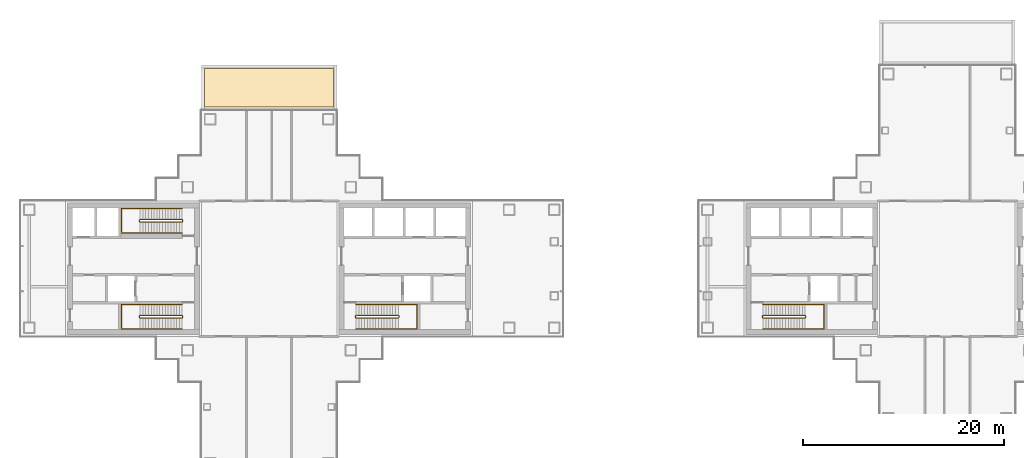
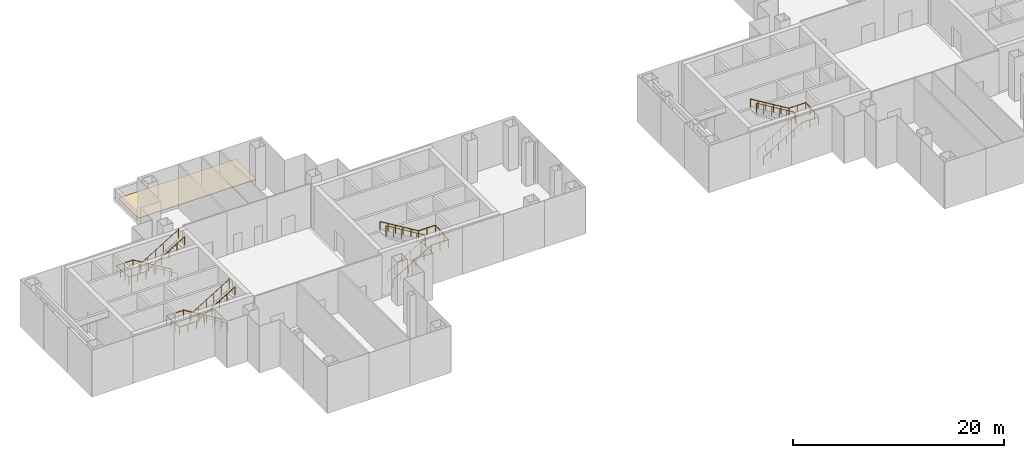
# One storey, part 14 of 15: 8 railings, 1 covering.
"""IFC4 building model written with IfcOpenShell, lengths in metres."""

from ifc_helpers import new_model, si_unit, direction, frame, origin, origin_2d, place, context, subcontext, project, spatial, polyline, circle, outline, extrude, material, layer, layer_set, type_object, element, save


model = new_model("IFC4")

# Units and contexts
model_context = context("Model", 3, precision=1e-05, world=origin(), true_north=direction((0.0, 1.0)))
body_context = subcontext(model_context, "Body", "Model", "MODEL_VIEW")
ifc_project = project(units=[si_unit("LENGTHUNIT", "METRE"), si_unit("AREAUNIT", "SQUARE_METRE"), si_unit("VOLUMEUNIT", "CUBIC_METRE"), si_unit("PLANEANGLEUNIT", "RADIAN"), si_unit("MASSUNIT", "GRAM", prefix="KILO")], contexts=[model_context])

# Site, building, storey
site_placement = place(None, origin())
site = spatial("IfcSite", under=ifc_project, at=site_placement, CompositionType="ELEMENT")
building_placement = place(site_placement, origin())
building = spatial("IfcBuilding", under=site, at=building_placement, Name="Shamsa Quay Exchange Towers", CompositionType="ELEMENT")
storey_placement = place(building_placement, frame((0.0, 0.0, 133.5)))
storey = spatial("IfcBuildingStorey", under=building, at=storey_placement, Name="L31", CompositionType="ELEMENT", Elevation=133.5)

# Covering
ifc_material_1 = material(Name="Bituminous waterproofing membrane with ballast")
ifc_layer = layer(ifc_material_1, 0.06005859375)
ifc_layer_set = layer_set([ifc_layer], Name="ROOF MEMBRANE 60")
covering_type = type_object("IfcCoveringType", Name="ROOF MEMBRANE 60", PredefinedType="ROOFING", material=ifc_layer_set)
covering_placement = place(storey_placement, origin())
element("IfcCovering", 1, at=covering_placement, inside=storey, type_object=covering_type, Name="Roof membrane 1.1", PredefinedType="ROOFING", context=body_context, shape_type="SweptSolid", body=[
    extrude(outline(polyline([(-27.320068359375, 19.929931640625), (-27.320068359375, 16.070068359375), (-40.179931640625, 16.070068359375), (-40.179931640625, 19.929931640625), (-27.320068359375, 19.929931640625)])), origin(), (0.0, 0.0, 1.0), 0.06005859375),
])

# Railings
ifc_material_2 = material(Name="Stainless steel", Category="steel")
railing_type_1 = type_object("IfcRailingType", Name="STAIR GUARD 1100", PredefinedType="GUARDRAIL", material=ifc_material_2)
railing_1_placement = place(storey_placement, frame((-25.10009765625, -4.89990234375, 0.168701171875)))
element("IfcRailing", 2, at=railing_1_placement, inside=storey, type_object=railing_type_1, Name="L31 ST1 stair guard 1", PredefinedType="GUARDRAIL", context=body_context, shape_type="SweptSolid", body=[
    extrude(circle(Radius=0.02392578125, at=origin_2d()), frame((0.0, 0.0, 1.076171875), z_axis=(0.856489757249, 0.0, 0.516164020179), x_axis=(0.0, 1.0, 0.0)), (0.0, 0.0, 1.0), 4.904052734375),
    extrude(circle(Radius=0.02392578125, at=origin_2d()), frame((4.2001953125, 0.0, 3.607421875), z_axis=(0.707106781187, 0.707106781187, 0.0), x_axis=(-0.707106781187, 0.707106781187, 0.0)), (0.0, 0.0, 1.0), 0.0703125),
    extrude(circle(Radius=0.02392578125, at=origin_2d()), frame((4.25, 0.0498046875, 3.607421875), z_axis=(0.0, 1.0, 0.0), x_axis=(-1.0, 0.0, 0.0)), (0.0, 0.0, 1.0), 0.150146484375),
    extrude(circle(Radius=0.02392578125, at=origin_2d()), frame((4.25, 0.199951171875, 3.607421875), z_axis=(-0.272333783174, 0.273668752699, 0.922463942026), x_axis=(-0.708833529934, -0.705375805398, 0.0)), (0.0, 0.0, 1.0), 0.182861328125),
    extrude(circle(Radius=0.02392578125, at=origin_2d()), frame((4.2001953125, 0.25, 3.77587890625), z_axis=(-0.856489757249, 0.0, 0.516164020179), x_axis=(0.0, -1.0, 0.0)), (0.0, 0.0, 1.0), 4.904052734375),
    extrude(circle(Radius=0.02392578125, at=origin_2d()), frame((0.0, 0.25, 6.30712890625), z_axis=(-0.24142163986, -0.970420317083, 0.0), x_axis=(0.970420317083, -0.24142163986, 0.0)), (0.0, 0.0, 1.0), 0.206298828125),
    extrude(circle(Radius=0.02392578125, at=origin_2d()), frame((-0.0498046875, 0.0498046875, 6.30712890625), z_axis=(0.0, 1.0, 0.0), x_axis=(-1.0, 0.0, 0.0)), (0.0, 0.0, 1.0), 0.150146484375),
    extrude(circle(Radius=0.02099609375, at=origin_2d()), origin(), (0.0, 0.0, 1.0), 1.052001953125),
    extrude(circle(Radius=0.02099609375, at=origin_2d()), frame((0.840087890625, 0.0, 0.50634765625)), (0.0, 0.0, 1.0), 1.052001953125),
    extrude(circle(Radius=0.02099609375, at=origin_2d()), frame((1.68017578125, 0.0, 1.012451171875)), (0.0, 0.0, 1.0), 1.052001953125),
    extrude(circle(Radius=0.02099609375, at=origin_2d()), frame((2.52001953125, 0.0, 1.518798828125)), (0.0, 0.0, 1.0), 1.052001953125),
    extrude(circle(Radius=0.02099609375, at=origin_2d()), frame((3.360107421875, 0.0, 2.02490234375)), (0.0, 0.0, 1.0), 1.052001953125),
    extrude(circle(Radius=0.02099609375, at=origin_2d()), frame((4.2001953125, 0.0, 2.53125)), (0.0, 0.0, 1.0), 1.052001953125),
    extrude(circle(Radius=0.02099609375, at=origin_2d()), frame((4.25, 0.0498046875, 2.53125)), (0.0, 0.0, 1.0), 1.052001953125),
    extrude(circle(Radius=0.02099609375, at=origin_2d()), frame((4.25, 0.199951171875, 2.53125)), (0.0, 0.0, 1.0), 1.052001953125),
    extrude(circle(Radius=0.02099609375, at=origin_2d()), frame((4.2001953125, 0.25, 2.699951171875)), (0.0, 0.0, 1.0), 1.052001953125),
    extrude(circle(Radius=0.02099609375, at=origin_2d()), frame((3.360107421875, 0.25, 3.206298828125)), (0.0, 0.0, 1.0), 1.052001953125),
    extrude(circle(Radius=0.02099609375, at=origin_2d()), frame((2.52001953125, 0.25, 3.71240234375)), (0.0, 0.0, 1.0), 1.052001953125),
    extrude(circle(Radius=0.02099609375, at=origin_2d()), frame((1.68017578125, 0.25, 4.21875)), (0.0, 0.0, 1.0), 1.052001953125),
    extrude(circle(Radius=0.02099609375, at=origin_2d()), frame((0.840087890625, 0.25, 4.724853515625)), (0.0, 0.0, 1.0), 1.052001953125),
    extrude(circle(Radius=0.02099609375, at=origin_2d()), frame((0.0, 0.25, 5.231201171875)), (0.0, 0.0, 1.0), 1.052001953125),
    extrude(circle(Radius=0.02099609375, at=origin_2d()), frame((-0.0498046875, 0.0498046875, 5.231201171875)), (0.0, 0.0, 1.0), 1.052001953125),
    extrude(circle(Radius=0.02099609375, at=origin_2d()), frame((-0.0498046875, 0.199951171875, 5.231201171875)), (0.0, 0.0, 1.0), 1.052001953125),
])
railing_2_placement = place(storey_placement, frame((-42.39990234375, -4.64990234375, 0.168701171875)))
element("IfcRailing", 3, at=railing_2_placement, inside=storey, type_object=railing_type_1, Name="L31 ST2 stair guard 1", PredefinedType="GUARDRAIL", context=body_context, shape_type="SweptSolid", body=[
    extrude(circle(Radius=0.02392578125, at=origin_2d()), frame((0.0, 0.0, 1.076171875), z_axis=(-0.856489757249, 0.0, 0.516164020179), x_axis=(0.0, -1.0, 0.0)), (0.0, 0.0, 1.0), 4.904052734375),
    extrude(circle(Radius=0.02392578125, at=origin_2d()), frame((-4.2001953125, 0.0, 3.607421875), z_axis=(-0.705375805398, -0.708833529934, 0.0), x_axis=(0.708833529934, -0.705375805398, 0.0)), (0.0, 0.0, 1.0), 0.070556640625),
    extrude(circle(Radius=0.02392578125, at=origin_2d()), frame((-4.25, -0.050048828125, 3.607421875), z_axis=(0.0, -1.0, 0.0), x_axis=(1.0, 0.0, 0.0)), (0.0, 0.0, 1.0), 0.150146484375),
    extrude(circle(Radius=0.02392578125, at=origin_2d()), frame((-4.25, -0.2001953125, 3.607421875), z_axis=(0.272433089069, -0.272433089069, 0.922800316407), x_axis=(0.707106781187, 0.707106781187, 0.0)), (0.0, 0.0, 1.0), 0.182861328125),
    extrude(circle(Radius=0.02392578125, at=origin_2d()), frame((-4.2001953125, -0.25, 3.77587890625), z_axis=(0.856489757249, 0.0, 0.516164020179), x_axis=(0.0, 1.0, 0.0)), (0.0, 0.0, 1.0), 4.904052734375),
    extrude(circle(Radius=0.02392578125, at=origin_2d()), frame((0.0, -0.25, 6.30712890625), z_axis=(0.241699205484, 0.970351222016, 0.0), x_axis=(-0.970351222016, 0.241699205484, 0.0)), (0.0, 0.0, 1.0), 0.2060546875),
    extrude(circle(Radius=0.02392578125, at=origin_2d()), frame((0.0498046875, -0.050048828125, 6.30712890625), z_axis=(0.0, -1.0, 0.0), x_axis=(1.0, 0.0, 0.0)), (0.0, 0.0, 1.0), 0.150146484375),
    extrude(circle(Radius=0.02099609375, at=origin_2d()), origin(), (0.0, 0.0, 1.0), 1.052001953125),
    extrude(circle(Radius=0.02099609375, at=origin_2d()), frame((-0.840087890625, 0.0, 0.50634765625)), (0.0, 0.0, 1.0), 1.052001953125),
    extrude(circle(Radius=0.02099609375, at=origin_2d()), frame((-1.68017578125, 0.0, 1.012451171875)), (0.0, 0.0, 1.0), 1.052001953125),
    extrude(circle(Radius=0.02099609375, at=origin_2d()), frame((-2.52001953125, 0.0, 1.518798828125)), (0.0, 0.0, 1.0), 1.052001953125),
    extrude(circle(Radius=0.02099609375, at=origin_2d()), frame((-3.360107421875, 0.0, 2.02490234375)), (0.0, 0.0, 1.0), 1.052001953125),
    extrude(circle(Radius=0.02099609375, at=origin_2d()), frame((-4.2001953125, 0.0, 2.53125)), (0.0, 0.0, 1.0), 1.052001953125),
    extrude(circle(Radius=0.02099609375, at=origin_2d()), frame((-4.25, -0.050048828125, 2.53125)), (0.0, 0.0, 1.0), 1.052001953125),
    extrude(circle(Radius=0.02099609375, at=origin_2d()), frame((-4.25, -0.2001953125, 2.53125)), (0.0, 0.0, 1.0), 1.052001953125),
    extrude(circle(Radius=0.02099609375, at=origin_2d()), frame((-4.2001953125, -0.25, 2.699951171875)), (0.0, 0.0, 1.0), 1.052001953125),
    extrude(circle(Radius=0.02099609375, at=origin_2d()), frame((-3.360107421875, -0.25, 3.206298828125)), (0.0, 0.0, 1.0), 1.052001953125),
    extrude(circle(Radius=0.02099609375, at=origin_2d()), frame((-2.52001953125, -0.25, 3.71240234375)), (0.0, 0.0, 1.0), 1.052001953125),
    extrude(circle(Radius=0.02099609375, at=origin_2d()), frame((-1.68017578125, -0.25, 4.21875)), (0.0, 0.0, 1.0), 1.052001953125),
    extrude(circle(Radius=0.02099609375, at=origin_2d()), frame((-0.840087890625, -0.25, 4.724853515625)), (0.0, 0.0, 1.0), 1.052001953125),
    extrude(circle(Radius=0.02099609375, at=origin_2d()), frame((0.0, -0.25, 5.231201171875)), (0.0, 0.0, 1.0), 1.052001953125),
    extrude(circle(Radius=0.02099609375, at=origin_2d()), frame((0.0498046875, -0.050048828125, 5.231201171875)), (0.0, 0.0, 1.0), 1.052001953125),
    extrude(circle(Radius=0.02099609375, at=origin_2d()), frame((0.0498046875, -0.2001953125, 5.231201171875)), (0.0, 0.0, 1.0), 1.052001953125),
])
railing_3_placement = place(storey_placement, frame((-42.39990234375, 4.89990234375, 0.168701171875)))
element("IfcRailing", 4, at=railing_3_placement, inside=storey, type_object=railing_type_1, Name="L31 ST3 stair guard 1", PredefinedType="GUARDRAIL", context=body_context, shape_type="SweptSolid", body=[
    extrude(circle(Radius=0.02392578125, at=origin_2d()), frame((0.0, 0.0, 1.076171875), z_axis=(-0.856489757249, 0.0, 0.516164020179), x_axis=(0.0, -1.0, 0.0)), (0.0, 0.0, 1.0), 4.904052734375),
    extrude(circle(Radius=0.02392578125, at=origin_2d()), frame((-4.2001953125, 0.0, 3.607421875), z_axis=(-0.707106781187, -0.707106781187, 0.0), x_axis=(0.707106781187, -0.707106781187, 0.0)), (0.0, 0.0, 1.0), 0.0703125),
    extrude(circle(Radius=0.02392578125, at=origin_2d()), frame((-4.25, -0.0498046875, 3.607421875), z_axis=(0.0, -1.0, 0.0), x_axis=(1.0, 0.0, 0.0)), (0.0, 0.0, 1.0), 0.150146484375),
    extrude(circle(Radius=0.02392578125, at=origin_2d()), frame((-4.25, -0.199951171875, 3.607421875), z_axis=(0.272333783174, -0.273668752699, 0.922463942026), x_axis=(0.708833529934, 0.705375805398, 0.0)), (0.0, 0.0, 1.0), 0.182861328125),
    extrude(circle(Radius=0.02392578125, at=origin_2d()), frame((-4.2001953125, -0.25, 3.77587890625), z_axis=(0.856489757249, 0.0, 0.516164020179), x_axis=(0.0, 1.0, 0.0)), (0.0, 0.0, 1.0), 4.904052734375),
    extrude(circle(Radius=0.02392578125, at=origin_2d()), frame((0.0, -0.25, 6.30712890625), z_axis=(0.24142163986, 0.970420317083, 0.0), x_axis=(-0.970420317083, 0.24142163986, 0.0)), (0.0, 0.0, 1.0), 0.206298828125),
    extrude(circle(Radius=0.02392578125, at=origin_2d()), frame((0.0498046875, -0.0498046875, 6.30712890625), z_axis=(0.0, -1.0, 0.0), x_axis=(1.0, 0.0, 0.0)), (0.0, 0.0, 1.0), 0.150146484375),
    extrude(circle(Radius=0.02099609375, at=origin_2d()), origin(), (0.0, 0.0, 1.0), 1.052001953125),
    extrude(circle(Radius=0.02099609375, at=origin_2d()), frame((-0.840087890625, 0.0, 0.50634765625)), (0.0, 0.0, 1.0), 1.052001953125),
    extrude(circle(Radius=0.02099609375, at=origin_2d()), frame((-1.68017578125, 0.0, 1.012451171875)), (0.0, 0.0, 1.0), 1.052001953125),
    extrude(circle(Radius=0.02099609375, at=origin_2d()), frame((-2.52001953125, 0.0, 1.518798828125)), (0.0, 0.0, 1.0), 1.052001953125),
    extrude(circle(Radius=0.02099609375, at=origin_2d()), frame((-3.360107421875, 0.0, 2.02490234375)), (0.0, 0.0, 1.0), 1.052001953125),
    extrude(circle(Radius=0.02099609375, at=origin_2d()), frame((-4.2001953125, 0.0, 2.53125)), (0.0, 0.0, 1.0), 1.052001953125),
    extrude(circle(Radius=0.02099609375, at=origin_2d()), frame((-4.25, -0.0498046875, 2.53125)), (0.0, 0.0, 1.0), 1.052001953125),
    extrude(circle(Radius=0.02099609375, at=origin_2d()), frame((-4.25, -0.199951171875, 2.53125)), (0.0, 0.0, 1.0), 1.052001953125),
    extrude(circle(Radius=0.02099609375, at=origin_2d()), frame((-4.2001953125, -0.25, 2.699951171875)), (0.0, 0.0, 1.0), 1.052001953125),
    extrude(circle(Radius=0.02099609375, at=origin_2d()), frame((-3.360107421875, -0.25, 3.206298828125)), (0.0, 0.0, 1.0), 1.052001953125),
    extrude(circle(Radius=0.02099609375, at=origin_2d()), frame((-2.52001953125, -0.25, 3.71240234375)), (0.0, 0.0, 1.0), 1.052001953125),
    extrude(circle(Radius=0.02099609375, at=origin_2d()), frame((-1.68017578125, -0.25, 4.21875)), (0.0, 0.0, 1.0), 1.052001953125),
    extrude(circle(Radius=0.02099609375, at=origin_2d()), frame((-0.840087890625, -0.25, 4.724853515625)), (0.0, 0.0, 1.0), 1.052001953125),
    extrude(circle(Radius=0.02099609375, at=origin_2d()), frame((0.0, -0.25, 5.231201171875)), (0.0, 0.0, 1.0), 1.052001953125),
    extrude(circle(Radius=0.02099609375, at=origin_2d()), frame((0.0498046875, -0.0498046875, 5.231201171875)), (0.0, 0.0, 1.0), 1.052001953125),
    extrude(circle(Radius=0.02099609375, at=origin_2d()), frame((0.0498046875, -0.199951171875, 5.231201171875)), (0.0, 0.0, 1.0), 1.052001953125),
])
railing_4_placement = place(storey_placement, frame((15.39990234375, -4.89990234375, 0.168701171875)))
element("IfcRailing", 5, at=railing_4_placement, inside=storey, type_object=railing_type_1, Name="L31 ST4 stair guard 1", PredefinedType="GUARDRAIL", context=body_context, shape_type="SweptSolid", body=[
    extrude(circle(Radius=0.02392578125, at=origin_2d()), frame((0.0, 0.0, 1.076171875), z_axis=(0.856489757249, 0.0, 0.516164020179), x_axis=(0.0, 1.0, 0.0)), (0.0, 0.0, 1.0), 4.904052734375),
    extrude(circle(Radius=0.02392578125, at=origin_2d()), frame((4.2001953125, 0.0, 3.607421875), z_axis=(0.707106781187, 0.707106781187, 0.0), x_axis=(-0.707106781187, 0.707106781187, 0.0)), (0.0, 0.0, 1.0), 0.0703125),
    extrude(circle(Radius=0.02392578125, at=origin_2d()), frame((4.25, 0.0498046875, 3.607421875), z_axis=(0.0, 1.0, 0.0), x_axis=(-1.0, 0.0, 0.0)), (0.0, 0.0, 1.0), 0.150146484375),
    extrude(circle(Radius=0.02392578125, at=origin_2d()), frame((4.25, 0.199951171875, 3.607421875), z_axis=(-0.272333783174, 0.273668752699, 0.922463942026), x_axis=(-0.708833529934, -0.705375805398, 0.0)), (0.0, 0.0, 1.0), 0.182861328125),
    extrude(circle(Radius=0.02392578125, at=origin_2d()), frame((4.2001953125, 0.25, 3.77587890625), z_axis=(-0.856489757249, 0.0, 0.516164020179), x_axis=(0.0, -1.0, 0.0)), (0.0, 0.0, 1.0), 4.904052734375),
    extrude(circle(Radius=0.02392578125, at=origin_2d()), frame((0.0, 0.25, 6.30712890625), z_axis=(-0.24142163986, -0.970420317083, 0.0), x_axis=(0.970420317083, -0.24142163986, 0.0)), (0.0, 0.0, 1.0), 0.206298828125),
    extrude(circle(Radius=0.02392578125, at=origin_2d()), frame((-0.0498046875, 0.0498046875, 6.30712890625), z_axis=(0.0, 1.0, 0.0), x_axis=(-1.0, 0.0, 0.0)), (0.0, 0.0, 1.0), 0.150146484375),
    extrude(circle(Radius=0.02099609375, at=origin_2d()), origin(), (0.0, 0.0, 1.0), 1.052001953125),
    extrude(circle(Radius=0.02099609375, at=origin_2d()), frame((0.840087890625, 0.0, 0.50634765625)), (0.0, 0.0, 1.0), 1.052001953125),
    extrude(circle(Radius=0.02099609375, at=origin_2d()), frame((1.68017578125, 0.0, 1.012451171875)), (0.0, 0.0, 1.0), 1.052001953125),
    extrude(circle(Radius=0.02099609375, at=origin_2d()), frame((2.52001953125, 0.0, 1.518798828125)), (0.0, 0.0, 1.0), 1.052001953125),
    extrude(circle(Radius=0.02099609375, at=origin_2d()), frame((3.360107421875, 0.0, 2.02490234375)), (0.0, 0.0, 1.0), 1.052001953125),
    extrude(circle(Radius=0.02099609375, at=origin_2d()), frame((4.2001953125, 0.0, 2.53125)), (0.0, 0.0, 1.0), 1.052001953125),
    extrude(circle(Radius=0.02099609375, at=origin_2d()), frame((4.25, 0.0498046875, 2.53125)), (0.0, 0.0, 1.0), 1.052001953125),
    extrude(circle(Radius=0.02099609375, at=origin_2d()), frame((4.25, 0.199951171875, 2.53125)), (0.0, 0.0, 1.0), 1.052001953125),
    extrude(circle(Radius=0.02099609375, at=origin_2d()), frame((4.2001953125, 0.25, 2.699951171875)), (0.0, 0.0, 1.0), 1.052001953125),
    extrude(circle(Radius=0.02099609375, at=origin_2d()), frame((3.360107421875, 0.25, 3.206298828125)), (0.0, 0.0, 1.0), 1.052001953125),
    extrude(circle(Radius=0.02099609375, at=origin_2d()), frame((2.52001953125, 0.25, 3.71240234375)), (0.0, 0.0, 1.0), 1.052001953125),
    extrude(circle(Radius=0.02099609375, at=origin_2d()), frame((1.68017578125, 0.25, 4.21875)), (0.0, 0.0, 1.0), 1.052001953125),
    extrude(circle(Radius=0.02099609375, at=origin_2d()), frame((0.840087890625, 0.25, 4.724853515625)), (0.0, 0.0, 1.0), 1.052001953125),
    extrude(circle(Radius=0.02099609375, at=origin_2d()), frame((0.0, 0.25, 5.231201171875)), (0.0, 0.0, 1.0), 1.052001953125),
    extrude(circle(Radius=0.02099609375, at=origin_2d()), frame((-0.0498046875, 0.0498046875, 5.231201171875)), (0.0, 0.0, 1.0), 1.052001953125),
    extrude(circle(Radius=0.02099609375, at=origin_2d()), frame((-0.0498046875, 0.199951171875, 5.231201171875)), (0.0, 0.0, 1.0), 1.052001953125),
])
railing_type_2 = type_object("IfcRailingType", Name="STAIR HANDRAIL 900", PredefinedType="HANDRAIL", material=ifc_material_2)
railing_5_placement = place(storey_placement, frame((-25.10009765625, -6.0, 0.168701171875)))
element("IfcRailing", 6, at=railing_5_placement, inside=storey, type_object=railing_type_2, Name="L31 ST1 stair handrail 1", PredefinedType="HANDRAIL", context=body_context, shape_type="SweptSolid", body=[
    extrude(circle(Radius=0.02392578125, at=origin_2d()), frame((0.0, 0.0, 0.8759765625), z_axis=(0.856489757249, 0.0, 0.516164020179), x_axis=(0.0, 1.0, 0.0)), (0.0, 0.0, 1.0), 4.904052734375),
    extrude(circle(Radius=0.02392578125, at=origin_2d()), frame((4.2001953125, 0.0, 3.4072265625), z_axis=(1.0, 0.0, 0.0), x_axis=(0.0, 1.0, 0.0)), (0.0, 0.0, 1.0), 1.849853515625),
    extrude(circle(Radius=0.02392578125, at=origin_2d()), frame((6.050048828125, 0.0, 3.4072265625), z_axis=(0.0, 0.99763761723, 0.068696322223), x_axis=(-1.0, 0.0, 0.0)), (0.0, 0.0, 1.0), 2.455810546875),
    extrude(circle(Radius=0.02392578125, at=origin_2d()), frame((6.050048828125, 2.449951171875, 3.57568359375), z_axis=(-1.0, 0.0, 0.0), x_axis=(0.0, -1.0, 0.0)), (0.0, 0.0, 1.0), 1.849853515625),
    extrude(circle(Radius=0.02392578125, at=origin_2d()), frame((4.2001953125, 2.449951171875, 3.57568359375), z_axis=(-0.856489757249, 0.0, 0.516164020179), x_axis=(0.0, -1.0, 0.0)), (0.0, 0.0, 1.0), 4.904052734375),
    extrude(circle(Radius=0.02099609375, at=origin_2d()), origin(), (0.0, 0.0, 1.0), 0.851806640625),
    extrude(circle(Radius=0.02099609375, at=origin_2d()), frame((0.840087890625, 0.0, 0.50634765625)), (0.0, 0.0, 1.0), 0.851806640625),
    extrude(circle(Radius=0.02099609375, at=origin_2d()), frame((1.68017578125, 0.0, 1.012451171875)), (0.0, 0.0, 1.0), 0.851806640625),
    extrude(circle(Radius=0.02099609375, at=origin_2d()), frame((2.52001953125, 0.0, 1.518798828125)), (0.0, 0.0, 1.0), 0.851806640625),
    extrude(circle(Radius=0.02099609375, at=origin_2d()), frame((3.360107421875, 0.0, 2.02490234375)), (0.0, 0.0, 1.0), 0.851806640625),
    extrude(circle(Radius=0.02099609375, at=origin_2d()), frame((4.2001953125, 0.0, 2.53125)), (0.0, 0.0, 1.0), 0.851806640625),
    extrude(circle(Radius=0.02099609375, at=origin_2d()), frame((5.125, 0.0, 2.53125)), (0.0, 0.0, 1.0), 0.851806640625),
    extrude(circle(Radius=0.02099609375, at=origin_2d()), frame((6.050048828125, 0.0, 2.53125)), (0.0, 0.0, 1.0), 0.851806640625),
    extrude(circle(Radius=0.02099609375, at=origin_2d()), frame((6.050048828125, 0.816650390625, 2.58740234375)), (0.0, 0.0, 1.0), 0.851806640625),
    extrude(circle(Radius=0.02099609375, at=origin_2d()), frame((6.050048828125, 1.63330078125, 2.643798828125)), (0.0, 0.0, 1.0), 0.851806640625),
    extrude(circle(Radius=0.02099609375, at=origin_2d()), frame((6.050048828125, 2.449951171875, 2.699951171875)), (0.0, 0.0, 1.0), 0.851806640625),
    extrude(circle(Radius=0.02099609375, at=origin_2d()), frame((5.125, 2.449951171875, 2.699951171875)), (0.0, 0.0, 1.0), 0.851806640625),
    extrude(circle(Radius=0.02099609375, at=origin_2d()), frame((4.2001953125, 2.449951171875, 2.699951171875)), (0.0, 0.0, 1.0), 0.851806640625),
    extrude(circle(Radius=0.02099609375, at=origin_2d()), frame((3.360107421875, 2.449951171875, 3.206298828125)), (0.0, 0.0, 1.0), 0.851806640625),
    extrude(circle(Radius=0.02099609375, at=origin_2d()), frame((2.52001953125, 2.449951171875, 3.71240234375)), (0.0, 0.0, 1.0), 0.851806640625),
    extrude(circle(Radius=0.02099609375, at=origin_2d()), frame((1.68017578125, 2.449951171875, 4.21875)), (0.0, 0.0, 1.0), 0.851806640625),
    extrude(circle(Radius=0.02099609375, at=origin_2d()), frame((0.840087890625, 2.449951171875, 4.724853515625)), (0.0, 0.0, 1.0), 0.851806640625),
    extrude(circle(Radius=0.02099609375, at=origin_2d()), frame((0.0, 2.449951171875, 5.231201171875)), (0.0, 0.0, 1.0), 0.851806640625),
])
railing_6_placement = place(storey_placement, frame((-42.39990234375, -3.550048828125, 0.168701171875)))
element("IfcRailing", 7, at=railing_6_placement, inside=storey, type_object=railing_type_2, Name="L31 ST2 stair handrail 1", PredefinedType="HANDRAIL", context=body_context, shape_type="SweptSolid", body=[
    extrude(circle(Radius=0.02392578125, at=origin_2d()), frame((0.0, 0.0, 0.8759765625), z_axis=(-0.856489757249, 0.0, 0.516164020179), x_axis=(0.0, -1.0, 0.0)), (0.0, 0.0, 1.0), 4.904052734375),
    extrude(circle(Radius=0.02392578125, at=origin_2d()), frame((-4.2001953125, 0.0, 3.4072265625), z_axis=(-1.0, 0.0, 0.0), x_axis=(0.0, -1.0, 0.0)), (0.0, 0.0, 1.0), 1.849853515625),
    extrude(circle(Radius=0.02392578125, at=origin_2d()), frame((-6.050048828125, 0.0, 3.4072265625), z_axis=(0.0, -0.99763761723, 0.068696322223), x_axis=(1.0, 0.0, 0.0)), (0.0, 0.0, 1.0), 2.455810546875),
    extrude(circle(Radius=0.02392578125, at=origin_2d()), frame((-6.050048828125, -2.449951171875, 3.57568359375), z_axis=(1.0, 0.0, 0.0), x_axis=(0.0, 1.0, 0.0)), (0.0, 0.0, 1.0), 1.849853515625),
    extrude(circle(Radius=0.02392578125, at=origin_2d()), frame((-4.2001953125, -2.449951171875, 3.57568359375), z_axis=(0.856489757249, 0.0, 0.516164020179), x_axis=(0.0, 1.0, 0.0)), (0.0, 0.0, 1.0), 4.904052734375),
    extrude(circle(Radius=0.02099609375, at=origin_2d()), origin(), (0.0, 0.0, 1.0), 0.851806640625),
    extrude(circle(Radius=0.02099609375, at=origin_2d()), frame((-0.840087890625, 0.0, 0.50634765625)), (0.0, 0.0, 1.0), 0.851806640625),
    extrude(circle(Radius=0.02099609375, at=origin_2d()), frame((-1.68017578125, 0.0, 1.012451171875)), (0.0, 0.0, 1.0), 0.851806640625),
    extrude(circle(Radius=0.02099609375, at=origin_2d()), frame((-2.52001953125, 0.0, 1.518798828125)), (0.0, 0.0, 1.0), 0.851806640625),
    extrude(circle(Radius=0.02099609375, at=origin_2d()), frame((-3.360107421875, 0.0, 2.02490234375)), (0.0, 0.0, 1.0), 0.851806640625),
    extrude(circle(Radius=0.02099609375, at=origin_2d()), frame((-4.2001953125, 0.0, 2.53125)), (0.0, 0.0, 1.0), 0.851806640625),
    extrude(circle(Radius=0.02099609375, at=origin_2d()), frame((-5.125, 0.0, 2.53125)), (0.0, 0.0, 1.0), 0.851806640625),
    extrude(circle(Radius=0.02099609375, at=origin_2d()), frame((-6.050048828125, 0.0, 2.53125)), (0.0, 0.0, 1.0), 0.851806640625),
    extrude(circle(Radius=0.02099609375, at=origin_2d()), frame((-6.050048828125, -0.816650390625, 2.58740234375)), (0.0, 0.0, 1.0), 0.851806640625),
    extrude(circle(Radius=0.02099609375, at=origin_2d()), frame((-6.050048828125, -1.63330078125, 2.643798828125)), (0.0, 0.0, 1.0), 0.851806640625),
    extrude(circle(Radius=0.02099609375, at=origin_2d()), frame((-6.050048828125, -2.449951171875, 2.699951171875)), (0.0, 0.0, 1.0), 0.851806640625),
    extrude(circle(Radius=0.02099609375, at=origin_2d()), frame((-5.125, -2.449951171875, 2.699951171875)), (0.0, 0.0, 1.0), 0.851806640625),
    extrude(circle(Radius=0.02099609375, at=origin_2d()), frame((-4.2001953125, -2.449951171875, 2.699951171875)), (0.0, 0.0, 1.0), 0.851806640625),
    extrude(circle(Radius=0.02099609375, at=origin_2d()), frame((-3.360107421875, -2.449951171875, 3.206298828125)), (0.0, 0.0, 1.0), 0.851806640625),
    extrude(circle(Radius=0.02099609375, at=origin_2d()), frame((-2.52001953125, -2.449951171875, 3.71240234375)), (0.0, 0.0, 1.0), 0.851806640625),
    extrude(circle(Radius=0.02099609375, at=origin_2d()), frame((-1.68017578125, -2.449951171875, 4.21875)), (0.0, 0.0, 1.0), 0.851806640625),
    extrude(circle(Radius=0.02099609375, at=origin_2d()), frame((-0.840087890625, -2.449951171875, 4.724853515625)), (0.0, 0.0, 1.0), 0.851806640625),
    extrude(circle(Radius=0.02099609375, at=origin_2d()), frame((0.0, -2.449951171875, 5.231201171875)), (0.0, 0.0, 1.0), 0.851806640625),
])
railing_7_placement = place(storey_placement, frame((-42.39990234375, 6.0, 0.168701171875)))
element("IfcRailing", 8, at=railing_7_placement, inside=storey, type_object=railing_type_2, Name="L31 ST3 stair handrail 1", PredefinedType="HANDRAIL", context=body_context, shape_type="SweptSolid", body=[
    extrude(circle(Radius=0.02392578125, at=origin_2d()), frame((0.0, 0.0, 0.8759765625), z_axis=(-0.856489757249, 0.0, 0.516164020179), x_axis=(0.0, -1.0, 0.0)), (0.0, 0.0, 1.0), 4.904052734375),
    extrude(circle(Radius=0.02392578125, at=origin_2d()), frame((-4.2001953125, 0.0, 3.4072265625), z_axis=(-1.0, 0.0, 0.0), x_axis=(0.0, -1.0, 0.0)), (0.0, 0.0, 1.0), 1.849853515625),
    extrude(circle(Radius=0.02392578125, at=origin_2d()), frame((-6.050048828125, 0.0, 3.4072265625), z_axis=(0.0, -0.99763761723, 0.068696322223), x_axis=(1.0, 0.0, 0.0)), (0.0, 0.0, 1.0), 2.455810546875),
    extrude(circle(Radius=0.02392578125, at=origin_2d()), frame((-6.050048828125, -2.449951171875, 3.57568359375), z_axis=(1.0, 0.0, 0.0), x_axis=(0.0, 1.0, 0.0)), (0.0, 0.0, 1.0), 1.849853515625),
    extrude(circle(Radius=0.02392578125, at=origin_2d()), frame((-4.2001953125, -2.449951171875, 3.57568359375), z_axis=(0.856489757249, 0.0, 0.516164020179), x_axis=(0.0, 1.0, 0.0)), (0.0, 0.0, 1.0), 4.904052734375),
    extrude(circle(Radius=0.02099609375, at=origin_2d()), origin(), (0.0, 0.0, 1.0), 0.851806640625),
    extrude(circle(Radius=0.02099609375, at=origin_2d()), frame((-0.840087890625, 0.0, 0.50634765625)), (0.0, 0.0, 1.0), 0.851806640625),
    extrude(circle(Radius=0.02099609375, at=origin_2d()), frame((-1.68017578125, 0.0, 1.012451171875)), (0.0, 0.0, 1.0), 0.851806640625),
    extrude(circle(Radius=0.02099609375, at=origin_2d()), frame((-2.52001953125, 0.0, 1.518798828125)), (0.0, 0.0, 1.0), 0.851806640625),
    extrude(circle(Radius=0.02099609375, at=origin_2d()), frame((-3.360107421875, 0.0, 2.02490234375)), (0.0, 0.0, 1.0), 0.851806640625),
    extrude(circle(Radius=0.02099609375, at=origin_2d()), frame((-4.2001953125, 0.0, 2.53125)), (0.0, 0.0, 1.0), 0.851806640625),
    extrude(circle(Radius=0.02099609375, at=origin_2d()), frame((-5.125, 0.0, 2.53125)), (0.0, 0.0, 1.0), 0.851806640625),
    extrude(circle(Radius=0.02099609375, at=origin_2d()), frame((-6.050048828125, 0.0, 2.53125)), (0.0, 0.0, 1.0), 0.851806640625),
    extrude(circle(Radius=0.02099609375, at=origin_2d()), frame((-6.050048828125, -0.816650390625, 2.58740234375)), (0.0, 0.0, 1.0), 0.851806640625),
    extrude(circle(Radius=0.02099609375, at=origin_2d()), frame((-6.050048828125, -1.63330078125, 2.643798828125)), (0.0, 0.0, 1.0), 0.851806640625),
    extrude(circle(Radius=0.02099609375, at=origin_2d()), frame((-6.050048828125, -2.449951171875, 2.699951171875)), (0.0, 0.0, 1.0), 0.851806640625),
    extrude(circle(Radius=0.02099609375, at=origin_2d()), frame((-5.125, -2.449951171875, 2.699951171875)), (0.0, 0.0, 1.0), 0.851806640625),
    extrude(circle(Radius=0.02099609375, at=origin_2d()), frame((-4.2001953125, -2.449951171875, 2.699951171875)), (0.0, 0.0, 1.0), 0.851806640625),
    extrude(circle(Radius=0.02099609375, at=origin_2d()), frame((-3.360107421875, -2.449951171875, 3.206298828125)), (0.0, 0.0, 1.0), 0.851806640625),
    extrude(circle(Radius=0.02099609375, at=origin_2d()), frame((-2.52001953125, -2.449951171875, 3.71240234375)), (0.0, 0.0, 1.0), 0.851806640625),
    extrude(circle(Radius=0.02099609375, at=origin_2d()), frame((-1.68017578125, -2.449951171875, 4.21875)), (0.0, 0.0, 1.0), 0.851806640625),
    extrude(circle(Radius=0.02099609375, at=origin_2d()), frame((-0.840087890625, -2.449951171875, 4.724853515625)), (0.0, 0.0, 1.0), 0.851806640625),
    extrude(circle(Radius=0.02099609375, at=origin_2d()), frame((0.0, -2.449951171875, 5.231201171875)), (0.0, 0.0, 1.0), 0.851806640625),
])
railing_8_placement = place(storey_placement, frame((15.39990234375, -6.0, 0.168701171875)))
element("IfcRailing", 9, at=railing_8_placement, inside=storey, type_object=railing_type_2, Name="L31 ST4 stair handrail 1", PredefinedType="HANDRAIL", context=body_context, shape_type="SweptSolid", body=[
    extrude(circle(Radius=0.02392578125, at=origin_2d()), frame((0.0, 0.0, 0.8759765625), z_axis=(0.856489757249, 0.0, 0.516164020179), x_axis=(0.0, 1.0, 0.0)), (0.0, 0.0, 1.0), 4.904052734375),
    extrude(circle(Radius=0.02392578125, at=origin_2d()), frame((4.2001953125, 0.0, 3.4072265625), z_axis=(1.0, 0.0, 0.0), x_axis=(0.0, 1.0, 0.0)), (0.0, 0.0, 1.0), 1.849853515625),
    extrude(circle(Radius=0.02392578125, at=origin_2d()), frame((6.050048828125, 0.0, 3.4072265625), z_axis=(0.0, 0.99763761723, 0.068696322223), x_axis=(-1.0, 0.0, 0.0)), (0.0, 0.0, 1.0), 2.455810546875),
    extrude(circle(Radius=0.02392578125, at=origin_2d()), frame((6.050048828125, 2.449951171875, 3.57568359375), z_axis=(-1.0, 0.0, 0.0), x_axis=(0.0, -1.0, 0.0)), (0.0, 0.0, 1.0), 1.849853515625),
    extrude(circle(Radius=0.02392578125, at=origin_2d()), frame((4.2001953125, 2.449951171875, 3.57568359375), z_axis=(-0.856489757249, 0.0, 0.516164020179), x_axis=(0.0, -1.0, 0.0)), (0.0, 0.0, 1.0), 4.904052734375),
    extrude(circle(Radius=0.02099609375, at=origin_2d()), origin(), (0.0, 0.0, 1.0), 0.851806640625),
    extrude(circle(Radius=0.02099609375, at=origin_2d()), frame((0.840087890625, 0.0, 0.50634765625)), (0.0, 0.0, 1.0), 0.851806640625),
    extrude(circle(Radius=0.02099609375, at=origin_2d()), frame((1.68017578125, 0.0, 1.012451171875)), (0.0, 0.0, 1.0), 0.851806640625),
    extrude(circle(Radius=0.02099609375, at=origin_2d()), frame((2.52001953125, 0.0, 1.518798828125)), (0.0, 0.0, 1.0), 0.851806640625),
    extrude(circle(Radius=0.02099609375, at=origin_2d()), frame((3.360107421875, 0.0, 2.02490234375)), (0.0, 0.0, 1.0), 0.851806640625),
    extrude(circle(Radius=0.02099609375, at=origin_2d()), frame((4.2001953125, 0.0, 2.53125)), (0.0, 0.0, 1.0), 0.851806640625),
    extrude(circle(Radius=0.02099609375, at=origin_2d()), frame((5.125, 0.0, 2.53125)), (0.0, 0.0, 1.0), 0.851806640625),
    extrude(circle(Radius=0.02099609375, at=origin_2d()), frame((6.050048828125, 0.0, 2.53125)), (0.0, 0.0, 1.0), 0.851806640625),
    extrude(circle(Radius=0.02099609375, at=origin_2d()), frame((6.050048828125, 0.816650390625, 2.58740234375)), (0.0, 0.0, 1.0), 0.851806640625),
    extrude(circle(Radius=0.02099609375, at=origin_2d()), frame((6.050048828125, 1.63330078125, 2.643798828125)), (0.0, 0.0, 1.0), 0.851806640625),
    extrude(circle(Radius=0.02099609375, at=origin_2d()), frame((6.050048828125, 2.449951171875, 2.699951171875)), (0.0, 0.0, 1.0), 0.851806640625),
    extrude(circle(Radius=0.02099609375, at=origin_2d()), frame((5.125, 2.449951171875, 2.699951171875)), (0.0, 0.0, 1.0), 0.851806640625),
    extrude(circle(Radius=0.02099609375, at=origin_2d()), frame((4.2001953125, 2.449951171875, 2.699951171875)), (0.0, 0.0, 1.0), 0.851806640625),
    extrude(circle(Radius=0.02099609375, at=origin_2d()), frame((3.360107421875, 2.449951171875, 3.206298828125)), (0.0, 0.0, 1.0), 0.851806640625),
    extrude(circle(Radius=0.02099609375, at=origin_2d()), frame((2.52001953125, 2.449951171875, 3.71240234375)), (0.0, 0.0, 1.0), 0.851806640625),
    extrude(circle(Radius=0.02099609375, at=origin_2d()), frame((1.68017578125, 2.449951171875, 4.21875)), (0.0, 0.0, 1.0), 0.851806640625),
    extrude(circle(Radius=0.02099609375, at=origin_2d()), frame((0.840087890625, 2.449951171875, 4.724853515625)), (0.0, 0.0, 1.0), 0.851806640625),
    extrude(circle(Radius=0.02099609375, at=origin_2d()), frame((0.0, 2.449951171875, 5.231201171875)), (0.0, 0.0, 1.0), 0.851806640625),
])

save(model, "model.ifc")
